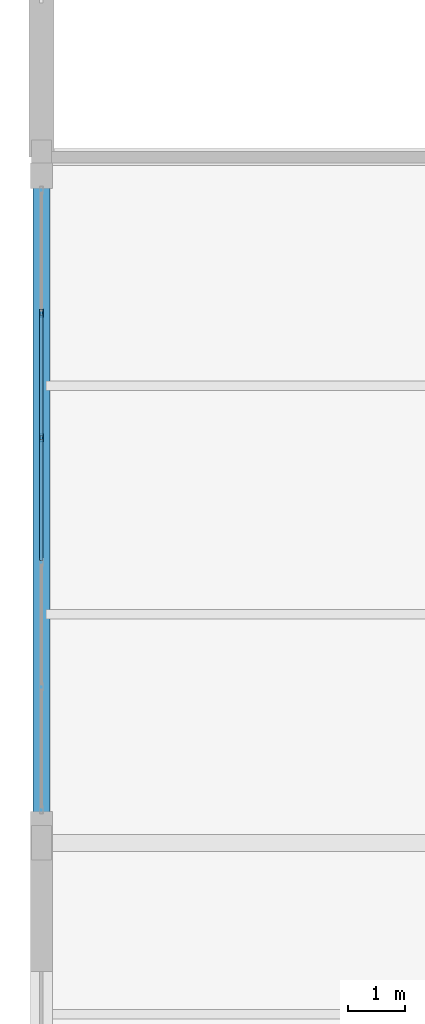
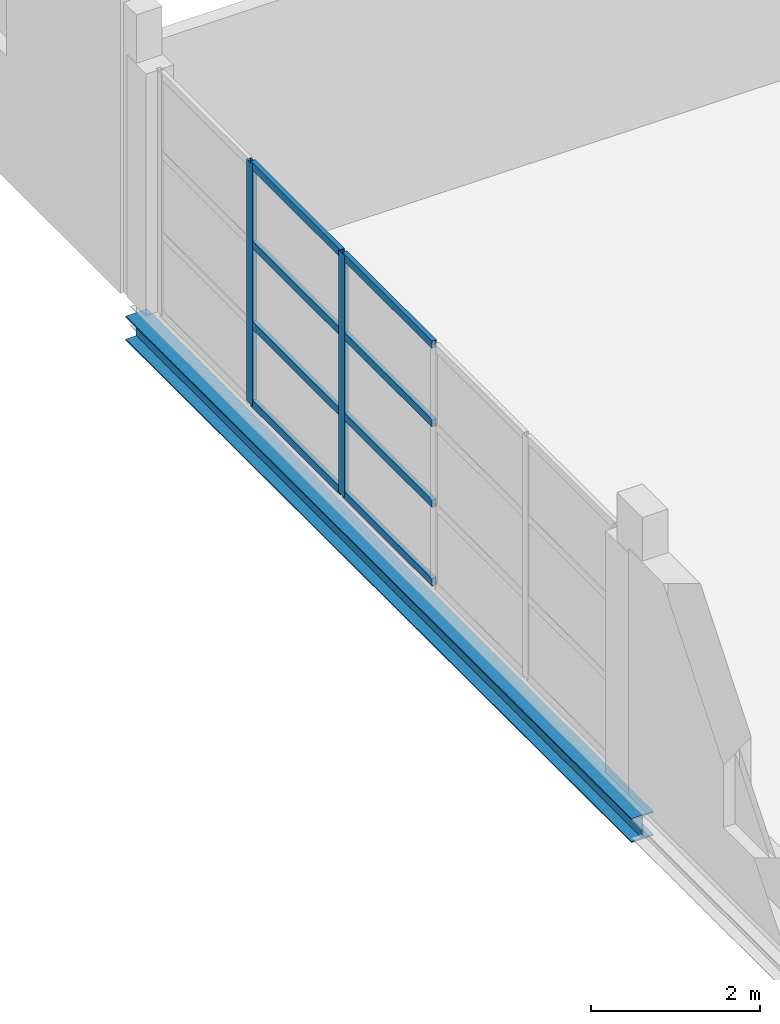
# One storey, part 109 of 147: 10 members, 1 beam, 1 element without a shape of its own.
"""IFC4 building model written with IfcOpenShell, lengths in metres."""

import ifcopenshell
import ifcopenshell.guid

model = None  # the IFC model being written
_history = None  # IfcOwnerHistory: only IFC2X3 demands one
_inside = {}  # id of a spatial element -> (the spatial element, [elements in it])
_under = {}  # id of a project, library or spatial element -> (it, [spatial elements below it])
_declared = {}  # id of a project -> (the project, [libraries it declares])
_typed = {}  # id of a type object -> (the type object, [elements of that type])
_made_of = {}  # id of a material, layer set ... -> (it, [elements and type objects made of it])


def new_model(schema):
    """Start an empty IFC model of exactly this schema.

    Asked for "IFC4X3", IfcOpenShell would pick the latest addendum, in which some entities
    have other attributes; the version numbers below select the first issue.
    IFC2X3 requires an IfcOwnerHistory on every rooted entity: one is made here for all.
    """
    global model, _history
    if schema == "IFC4X3":
        model = ifcopenshell.file(schema_version=(4, 3, 0, 0))
    else:
        model = ifcopenshell.file(schema=schema)
    _inside.clear()
    _under.clear()
    _declared.clear()
    _typed.clear()
    _made_of.clear()
    _history = None
    if model.schema == "IFC2X3":
        org = make("IfcOrganization", Name="unknown")
        user = make(
            "IfcPersonAndOrganization",
            ThePerson=make("IfcPerson", FamilyName="unknown"),
            TheOrganization=org,
        )
        app = make(
            "IfcApplication",
            ApplicationDeveloper=org,
            Version="unknown",
            ApplicationFullName="unknown",
            ApplicationIdentifier="unknown",
        )
        _history = make(
            "IfcOwnerHistory",
            OwningUser=user,
            OwningApplication=app,
            ChangeAction="ADDED",
            CreationDate=0,
        )
    return model


def make(cls, **values):
    """One entity of the class cls with the attributes given. An attribute that is None is left unset."""
    return model.create_entity(
        cls, **{name: value for name, value in values.items() if value is not None}
    )


def rooted(cls, **values):
    """An entity with a GlobalId (a new one), such as an element, a storey or a relation."""
    return make(cls, GlobalId=ifcopenshell.guid.new(), OwnerHistory=_history, **values)


def si_unit(unit_type, name, prefix=None):
    """IfcSIUnit, for example si_unit("LENGTHUNIT", "METRE", prefix="MILLI")."""
    return make("IfcSIUnit", UnitType=unit_type, Prefix=prefix, Name=name)


def assignment(units):
    """IfcUnitAssignment: the units of a project."""
    return None if units is None else make("IfcUnitAssignment", Units=units)


def point(xyz):
    """IfcCartesianPoint."""
    return None if xyz is None else make("IfcCartesianPoint", Coordinates=xyz)


def direction(xyz):
    """IfcDirection."""
    return None if xyz is None else make("IfcDirection", DirectionRatios=xyz)


def frame(location, z_axis=None, x_axis=None):
    """IfcAxis2Placement3D, a coordinate frame: its origin and axes. An axis left out is left unset."""
    return make(
        "IfcAxis2Placement3D",
        Location=point(location),
        Axis=direction(z_axis),
        RefDirection=direction(x_axis),
    )


def frame_2d(location, x_axis=None):
    """IfcAxis2Placement2D, a coordinate frame in the plane: its origin and x axis."""
    return make(
        "IfcAxis2Placement2D", Location=point(location), RefDirection=direction(x_axis)
    )


def origin():
    """The frame at (0, 0, 0) with its axes left unset."""
    return frame((0.0, 0.0, 0.0))


def origin_2d():
    """The frame at (0, 0) in the plane with its x axis left unset."""
    return frame_2d((0.0, 0.0))


def place(relative_to, where):
    """IfcLocalPlacement: puts the frame where relative to a parent placement (None: the world)."""
    return make(
        "IfcLocalPlacement", PlacementRelTo=relative_to, RelativePlacement=where
    )


def context(
    kind, dimensions, precision=None, world=None, true_north=None, identifier=None
):
    """IfcGeometricRepresentationContext, for example the 3D "Model" context."""
    return make(
        "IfcGeometricRepresentationContext",
        ContextIdentifier=identifier,
        ContextType=kind,
        CoordinateSpaceDimension=dimensions,
        Precision=precision,
        WorldCoordinateSystem=world,
        TrueNorth=true_north,
    )


def subcontext(parent, identifier, kind, view, scale=None):
    """IfcGeometricRepresentationSubContext, for example "Body" below "Model"."""
    return make(
        "IfcGeometricRepresentationSubContext",
        ContextIdentifier=identifier,
        ContextType=kind,
        ParentContext=parent,
        TargetScale=scale,
        TargetView=view,
    )


def project(units=None, contexts=None):
    """IfcProject with its units and contexts."""
    return rooted(
        "IfcProject",
        Name="project",
        RepresentationContexts=contexts,
        UnitsInContext=assignment(units),
    )


def spatial(cls, under=None, at=None, **own):
    """A site, building, storey or space (cls), placed at a placement, below another one or the project."""
    s = rooted(cls, ObjectPlacement=at, **own)
    if under is not None:
        _under.setdefault(under.id(), (under, []))[1].append(s)
    return s


def profile(cls, at=None, kind="AREA", **sizes):
    """A parametric profile (cls). Its sizes go by their IFC names, for example OverallWidth=200.0."""
    return make(cls, ProfileType=kind, Position=at, **sizes)


def hollow_rectangle(**sizes):
    """IfcRectangleHollowProfileDef."""
    return profile("IfcRectangleHollowProfileDef", **sizes)


def i_section(**sizes):
    """IfcIShapeProfileDef."""
    return profile("IfcIShapeProfileDef", **sizes)


def extrude(swept, where, along, depth):
    """IfcExtrudedAreaSolid: the profile swept, set in the frame where, extruded along a direction by depth."""
    return make(
        "IfcExtrudedAreaSolid",
        SweptArea=swept,
        Position=where,
        ExtrudedDirection=direction(along),
        Depth=depth,
    )


def shape(context_of_items, identifier, shape_type, items):
    """IfcShapeRepresentation: the items that make up one representation, for example the "Body"."""
    return make(
        "IfcShapeRepresentation",
        ContextOfItems=context_of_items,
        RepresentationIdentifier=identifier,
        RepresentationType=shape_type,
        Items=items,
    )


def material(Name=None, Category=None):
    """IfcMaterial."""
    return make("IfcMaterial", Name=Name, Category=Category)


def layer(
    of_material, thickness, ventilated=None, Name=None, Category=None, Priority=None
):
    """IfcMaterialLayer: one layer of a wall or slab, of a material (None: an air gap)."""
    return make(
        "IfcMaterialLayer",
        Material=of_material,
        LayerThickness=thickness,
        IsVentilated=ventilated,
        Name=Name,
        Category=Category,
        Priority=Priority,
    )


def layer_set(layers, Name=None):
    """IfcMaterialLayerSet."""
    return make("IfcMaterialLayerSet", MaterialLayers=layers, LayerSetName=Name)


def material_profile(
    of_material, cross_section, Name=None, Category=None, Priority=None
):
    """IfcMaterialProfile: a cross section and its material."""
    return make(
        "IfcMaterialProfile",
        Name=Name,
        Material=of_material,
        Profile=cross_section,
        Priority=Priority,
        Category=Category,
    )


def profile_set(profiles, Name=None, composite=None):
    """IfcMaterialProfileSet."""
    return make(
        "IfcMaterialProfileSet",
        Name=Name,
        MaterialProfiles=profiles,
        CompositeProfile=composite,
    )


def made_of(thing, what):
    """Note that an element or type object is made of a material, layer set ...; save() writes the relation."""
    if what is not None:
        _made_of.setdefault(what.id(), (what, []))[1].append(thing)
    return thing


def type_object(cls, material=None, **own):
    """A type object (cls), such as IfcWallType, which elements share."""
    return made_of(rooted(cls, **own), material)


def element(
    cls,
    number,
    at=None,
    inside=None,
    cuts=None,
    type_object=None,
    material=None,
    context=None,
    identifier="Body",
    shape_type=None,
    held_by="IfcProductDefinitionShape",
    body=None,
    shapes=None,
    **own,
):
    """One element of the class cls, such as IfcWall. Its Tag is "e" and its number.

    at: its placement. inside: the storey or other place that contains it. cuts: it is an
    opening in that element (IfcRelVoidsElement). A single representation is given by context,
    identifier, shape_type and body (its items); several are given by shapes. held_by: the class
    of the entity that holds the representations. save() writes the other relations.
    """
    e = rooted(cls, Tag="e%d" % number, ObjectPlacement=at, **own)
    if body is not None:
        shapes = [shape(context, identifier, shape_type, body)]
    if shapes is not None:
        e.Representation = make(held_by, Representations=shapes)
    if inside is not None:
        _inside.setdefault(inside.id(), (inside, []))[1].append(e)
    if cuts is not None:
        rooted(
            "IfcRelVoidsElement", RelatingBuildingElement=cuts, RelatedOpeningElement=e
        )
    if type_object is not None:
        _typed.setdefault(type_object.id(), (type_object, []))[1].append(e)
    return made_of(e, material)


def aggregate(whole, parts):
    """IfcRelAggregates: a whole, such as a stair, and the parts it consists of."""
    return rooted("IfcRelAggregates", RelatingObject=whole, RelatedObjects=parts)


def save(model, path):
    """Write the relations noted so far, then the file.

    IfcRelAggregates (storeys below a building ...), IfcRelContainedInSpatialStructure (elements
    in a storey), IfcRelDefinesByType, IfcRelAssociatesMaterial and IfcRelDeclares: one each for
    every whole, place, type object, material and project.
    """
    for whole, parts in _under.values():
        aggregate(whole, parts)
    for where, things in _inside.values():
        rooted(
            "IfcRelContainedInSpatialStructure",
            RelatedElements=things,
            RelatingStructure=where,
        )
    for kind, things in _typed.values():
        rooted("IfcRelDefinesByType", RelatedObjects=things, RelatingType=kind)
    for what, things in _made_of.values():
        rooted("IfcRelAssociatesMaterial", RelatedObjects=things, RelatingMaterial=what)
    for by, libraries in _declared.values():
        rooted("IfcRelDeclares", RelatingContext=by, RelatedDefinitions=libraries)
    model.write(path)


model = new_model("IFC4")

# Units and contexts
model_context = context("Model", 3, precision=1e-05, world=origin(), true_north=direction((0.0, 1.0)))
body_context = subcontext(model_context, "Body", "Model", "MODEL_VIEW")
ifc_project = project(units=[si_unit("LENGTHUNIT", "METRE"), si_unit("AREAUNIT", "SQUARE_METRE"), si_unit("VOLUMEUNIT", "CUBIC_METRE"), si_unit("PLANEANGLEUNIT", "RADIAN"), si_unit("MASSUNIT", "GRAM", prefix="KILO")], contexts=[model_context])

# Site, building, storey
site_placement = place(None, origin())
site = spatial("IfcSite", under=ifc_project, at=site_placement, CompositionType="ELEMENT")
building_placement = place(site_placement, origin())
building = spatial("IfcBuilding", under=site, at=building_placement, Name="Zilviju Railside Exhibition Hall", CompositionType="ELEMENT")
storey_placement = place(building_placement, frame((0.0, 0.0, 8.39990234375)))
storey = spatial("IfcBuildingStorey", under=building, at=storey_placement, Name="L03", CompositionType="ELEMENT", Elevation=8.39990234375)

# Beam
ifc_material_1 = material(Name="Steel S355J2", Category="steel")
ifc_material_profile_1 = material_profile(ifc_material_1, i_section(OverallWidth=0.300048828125, OverallDepth=0.35009765625, WebThickness=0.010009765625, FlangeThickness=0.017578125, at=origin_2d()), Name="HEA 360")
ifc_profile_set_1 = profile_set([ifc_material_profile_1], Name="Steel S355J2")
beam_type = type_object("IfcBeamType", Name="BM-HEA360", PredefinedType="BEAM", material=ifc_profile_set_1)
beam_placement = place(storey_placement, frame((0.0, 126.0, -0.52490234375), z_axis=(0.0, 1.0, 0.0), x_axis=(-1.0, 0.0, 0.0)))
element("IfcBeam", 1, at=beam_placement, inside=storey, type_object=beam_type, Name="Transverse Girder L03 X=0.0 (126.0..138.0)", PredefinedType="BEAM", context=body_context, shape_type="SweptSolid", body=[
    extrude(i_section(OverallWidth=0.300048828125, OverallDepth=0.35009765625, WebThickness=0.010009765625, FlangeThickness=0.017578125, at=origin_2d()), origin(), (0.0, 0.0, 1.0), 12.0),
])

# Curtain wall, members
ifc_material_2 = material(Name="Thermally broken aluminium-steel triple-glazed curtain wall", Category="steel")
ifc_layer = layer(ifc_material_2, 0.179931640625)
ifc_layer_set = layer_set([ifc_layer], Name="Thermally broken aluminium-steel triple-glazed curtain wall")
curtain_wall_type = type_object("IfcCurtainWallType", Name="CW-BAY-05", PredefinedType="USERDEFINED", material=ifc_layer_set)
curtain_wall_placement = place(storey_placement, origin())
curtain_wall = element("IfcCurtainWall", 2, at=curtain_wall_placement, inside=storey, type_object=curtain_wall_type, Name="Organisers Wing Jugendstils Erkeri Curtain Wall L03", ObjectType="GLAZED CURTAIN WALL", PredefinedType="USERDEFINED")
ifc_material_3 = material(Name="Thermally broken anodized aluminium mullion", Category="aluminium")
ifc_material_profile_2 = material_profile(ifc_material_3, hollow_rectangle(XDim=0.06005859375, YDim=0.139892578125, WallThickness=0.0048828125, at=origin_2d()), Name="MULLION 140x60x5")
ifc_profile_set_2 = profile_set([ifc_material_profile_2], Name="Thermally broken anodized aluminium mullion")
member_type_1 = type_object("IfcMemberType", Name="CWM-60x140", PredefinedType="MULLION", material=ifc_profile_set_2)
member_1_placement = place(storey_placement, frame((0.0, 133.090087890625, 0.0), z_axis=(0.0, 0.0, 1.0), x_axis=(-1.0, 0.0, 0.0)))
member_1 = element("IfcMember", 3, at=member_1_placement, type_object=member_type_1, Name="CW-05 mullion 4", PredefinedType="MULLION", context=body_context, shape_type="SweptSolid", body=[
    extrude(hollow_rectangle(XDim=0.06005859375, YDim=0.139892578125, WallThickness=0.0048828125, at=origin_2d()), origin(), (0.0, 0.0, 1.0), 3.5),
])
member_2_placement = place(storey_placement, frame((0.0, 135.27001953125, 0.0), z_axis=(0.0, 0.0, 1.0), x_axis=(-1.0, 0.0, 0.0)))
member_2 = element("IfcMember", 4, at=member_2_placement, type_object=member_type_1, Name="CW-05 mullion 5", PredefinedType="MULLION", context=body_context, shape_type="SweptSolid", body=[
    extrude(hollow_rectangle(XDim=0.06005859375, YDim=0.139892578125, WallThickness=0.0048828125, at=origin_2d()), origin(), (0.0, 0.0, 1.0), 3.5),
])
ifc_material_4 = material(Name="Thermally broken anodized aluminium transom", Category="aluminium")
ifc_material_profile_3 = material_profile(ifc_material_4, hollow_rectangle(XDim=0.06005859375, YDim=0.110107421875, WallThickness=0.0048828125, at=origin_2d()), Name="TRANSOM 110x60x5")
ifc_profile_set_3 = profile_set([ifc_material_profile_3], Name="Thermally broken anodized aluminium transom")
member_type_2 = type_object("IfcMemberType", Name="CWT-60x110", PredefinedType="USERDEFINED", material=ifc_profile_set_3)
member_3_placement = place(storey_placement, frame((0.0, 130.93994140625, 0.030029296875), z_axis=(0.0, 1.0, 0.0), x_axis=(-1.0, 0.0, 0.0)))
member_3 = element("IfcMember", 5, at=member_3_placement, type_object=member_type_2, Name="CW-05 transom 3.1", ObjectType="TRANSOM", PredefinedType="USERDEFINED", context=body_context, shape_type="SweptSolid", body=[
    extrude(hollow_rectangle(XDim=0.06005859375, YDim=0.110107421875, WallThickness=0.0048828125, at=origin_2d()), origin(), (0.0, 0.0, 1.0), 2.1201171875),
])
member_4_placement = place(storey_placement, frame((0.0, 130.93994140625, 1.1669921875), z_axis=(0.0, 1.0, 0.0), x_axis=(-1.0, 0.0, 0.0)))
member_4 = element("IfcMember", 6, at=member_4_placement, type_object=member_type_2, Name="CW-05 transom 3.2", ObjectType="TRANSOM", PredefinedType="USERDEFINED", context=body_context, shape_type="SweptSolid", body=[
    extrude(hollow_rectangle(XDim=0.06005859375, YDim=0.110107421875, WallThickness=0.0048828125, at=origin_2d()), origin(), (0.0, 0.0, 1.0), 2.1201171875),
])
member_5_placement = place(storey_placement, frame((0.0, 130.93994140625, 2.3330078125), z_axis=(0.0, 1.0, 0.0), x_axis=(-1.0, 0.0, 0.0)))
member_5 = element("IfcMember", 7, at=member_5_placement, type_object=member_type_2, Name="CW-05 transom 3.3", ObjectType="TRANSOM", PredefinedType="USERDEFINED", context=body_context, shape_type="SweptSolid", body=[
    extrude(hollow_rectangle(XDim=0.06005859375, YDim=0.110107421875, WallThickness=0.0048828125, at=origin_2d()), origin(), (0.0, 0.0, 1.0), 2.1201171875),
])
member_6_placement = place(storey_placement, frame((0.0, 130.93994140625, 3.47021484375), z_axis=(0.0, 1.0, 0.0), x_axis=(-1.0, 0.0, 0.0)))
member_6 = element("IfcMember", 8, at=member_6_placement, type_object=member_type_2, Name="CW-05 transom 3.4", ObjectType="TRANSOM", PredefinedType="USERDEFINED", context=body_context, shape_type="SweptSolid", body=[
    extrude(hollow_rectangle(XDim=0.06005859375, YDim=0.110107421875, WallThickness=0.0048828125, at=origin_2d()), origin(), (0.0, 0.0, 1.0), 2.1201171875),
])
member_7_placement = place(storey_placement, frame((0.0, 133.1201171875, 0.030029296875), z_axis=(0.0, 1.0, 0.0), x_axis=(-1.0, 0.0, 0.0)))
member_7 = element("IfcMember", 9, at=member_7_placement, type_object=member_type_2, Name="CW-05 transom 4.1", ObjectType="TRANSOM", PredefinedType="USERDEFINED", context=body_context, shape_type="SweptSolid", body=[
    extrude(hollow_rectangle(XDim=0.06005859375, YDim=0.110107421875, WallThickness=0.0048828125, at=origin_2d()), origin(), (0.0, 0.0, 1.0), 2.119873046875),
])
member_8_placement = place(storey_placement, frame((0.0, 133.1201171875, 1.1669921875), z_axis=(0.0, 1.0, 0.0), x_axis=(-1.0, 0.0, 0.0)))
member_8 = element("IfcMember", 10, at=member_8_placement, type_object=member_type_2, Name="CW-05 transom 4.2", ObjectType="TRANSOM", PredefinedType="USERDEFINED", context=body_context, shape_type="SweptSolid", body=[
    extrude(hollow_rectangle(XDim=0.06005859375, YDim=0.110107421875, WallThickness=0.0048828125, at=origin_2d()), origin(), (0.0, 0.0, 1.0), 2.119873046875),
])
member_9_placement = place(storey_placement, frame((0.0, 133.1201171875, 2.3330078125), z_axis=(0.0, 1.0, 0.0), x_axis=(-1.0, 0.0, 0.0)))
member_9 = element("IfcMember", 11, at=member_9_placement, type_object=member_type_2, Name="CW-05 transom 4.3", ObjectType="TRANSOM", PredefinedType="USERDEFINED", context=body_context, shape_type="SweptSolid", body=[
    extrude(hollow_rectangle(XDim=0.06005859375, YDim=0.110107421875, WallThickness=0.0048828125, at=origin_2d()), origin(), (0.0, 0.0, 1.0), 2.119873046875),
])
member_10_placement = place(storey_placement, frame((0.0, 133.1201171875, 3.47021484375), z_axis=(0.0, 1.0, 0.0), x_axis=(-1.0, 0.0, 0.0)))
member_10 = element("IfcMember", 12, at=member_10_placement, type_object=member_type_2, Name="CW-05 transom 4.4", ObjectType="TRANSOM", PredefinedType="USERDEFINED", context=body_context, shape_type="SweptSolid", body=[
    extrude(hollow_rectangle(XDim=0.06005859375, YDim=0.110107421875, WallThickness=0.0048828125, at=origin_2d()), origin(), (0.0, 0.0, 1.0), 2.119873046875),
])
aggregate(curtain_wall, [member_1, member_2, member_3, member_4, member_5, member_6, member_7, member_8, member_9, member_10])

save(model, "model.ifc")
